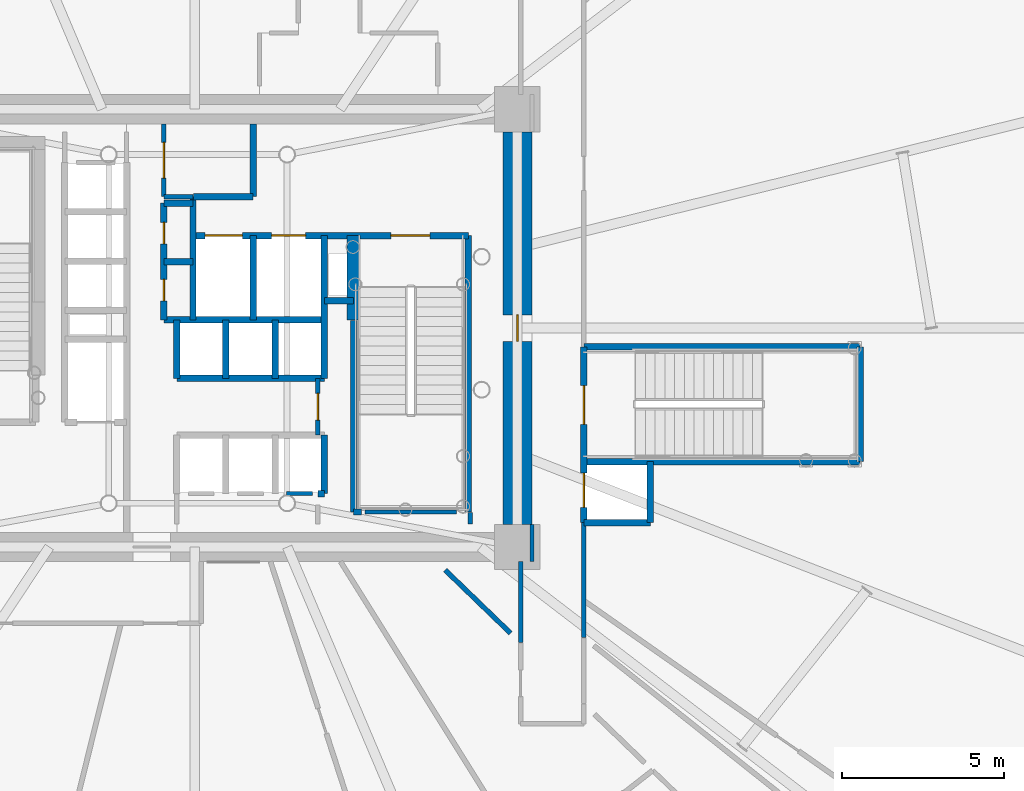
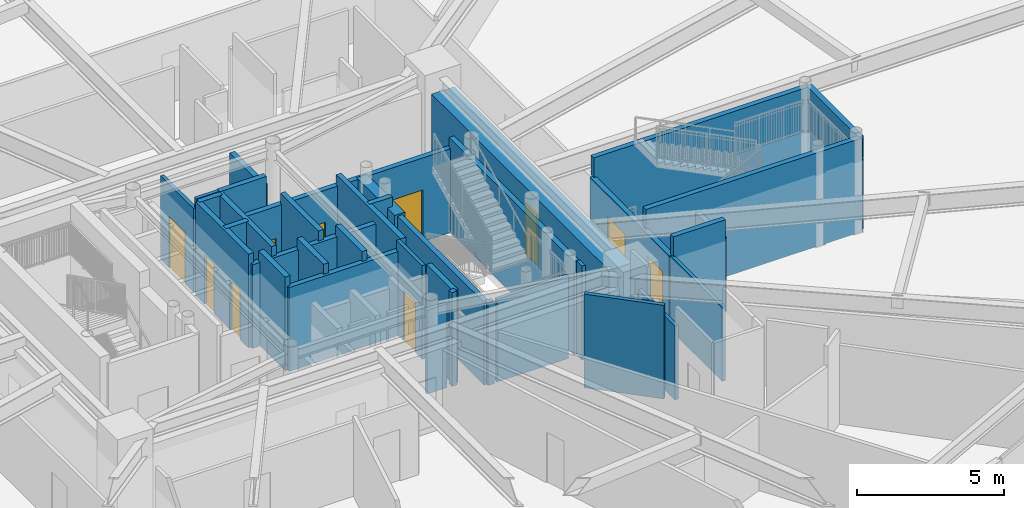
# One storey, part 18 of 31: 38 walls, 10 doors, 10 openings.
"""IFC4 building model written with IfcOpenShell, lengths in metres."""

import ifcopenshell
import ifcopenshell.guid

model = None  # the IFC model being written
_history = None  # IfcOwnerHistory: only IFC2X3 demands one
_inside = {}  # id of a spatial element -> (the spatial element, [elements in it])
_under = {}  # id of a project, library or spatial element -> (it, [spatial elements below it])
_declared = {}  # id of a project -> (the project, [libraries it declares])
_typed = {}  # id of a type object -> (the type object, [elements of that type])
_made_of = {}  # id of a material, layer set ... -> (it, [elements and type objects made of it])


def new_model(schema):
    """Start an empty IFC model of exactly this schema.

    Asked for "IFC4X3", IfcOpenShell would pick the latest addendum, in which some entities
    have other attributes; the version numbers below select the first issue.
    IFC2X3 requires an IfcOwnerHistory on every rooted entity: one is made here for all.
    """
    global model, _history
    if schema == "IFC4X3":
        model = ifcopenshell.file(schema_version=(4, 3, 0, 0))
    else:
        model = ifcopenshell.file(schema=schema)
    _inside.clear()
    _under.clear()
    _declared.clear()
    _typed.clear()
    _made_of.clear()
    _history = None
    if model.schema == "IFC2X3":
        org = make("IfcOrganization", Name="unknown")
        user = make(
            "IfcPersonAndOrganization",
            ThePerson=make("IfcPerson", FamilyName="unknown"),
            TheOrganization=org,
        )
        app = make(
            "IfcApplication",
            ApplicationDeveloper=org,
            Version="unknown",
            ApplicationFullName="unknown",
            ApplicationIdentifier="unknown",
        )
        _history = make(
            "IfcOwnerHistory",
            OwningUser=user,
            OwningApplication=app,
            ChangeAction="ADDED",
            CreationDate=0,
        )
    return model


def make(cls, **values):
    """One entity of the class cls with the attributes given. An attribute that is None is left unset."""
    return model.create_entity(
        cls, **{name: value for name, value in values.items() if value is not None}
    )


def rooted(cls, **values):
    """An entity with a GlobalId (a new one), such as an element, a storey or a relation."""
    return make(cls, GlobalId=ifcopenshell.guid.new(), OwnerHistory=_history, **values)


def si_unit(unit_type, name, prefix=None):
    """IfcSIUnit, for example si_unit("LENGTHUNIT", "METRE", prefix="MILLI")."""
    return make("IfcSIUnit", UnitType=unit_type, Prefix=prefix, Name=name)


def assignment(units):
    """IfcUnitAssignment: the units of a project."""
    return None if units is None else make("IfcUnitAssignment", Units=units)


def point(xyz):
    """IfcCartesianPoint."""
    return None if xyz is None else make("IfcCartesianPoint", Coordinates=xyz)


def direction(xyz):
    """IfcDirection."""
    return None if xyz is None else make("IfcDirection", DirectionRatios=xyz)


def frame(location, z_axis=None, x_axis=None):
    """IfcAxis2Placement3D, a coordinate frame: its origin and axes. An axis left out is left unset."""
    return make(
        "IfcAxis2Placement3D",
        Location=point(location),
        Axis=direction(z_axis),
        RefDirection=direction(x_axis),
    )


def frame_2d(location, x_axis=None):
    """IfcAxis2Placement2D, a coordinate frame in the plane: its origin and x axis."""
    return make(
        "IfcAxis2Placement2D", Location=point(location), RefDirection=direction(x_axis)
    )


def origin():
    """The frame at (0, 0, 0) with its axes left unset."""
    return frame((0.0, 0.0, 0.0))


def origin_2d():
    """The frame at (0, 0) in the plane with its x axis left unset."""
    return frame_2d((0.0, 0.0))


def place(relative_to, where):
    """IfcLocalPlacement: puts the frame where relative to a parent placement (None: the world)."""
    return make(
        "IfcLocalPlacement", PlacementRelTo=relative_to, RelativePlacement=where
    )


def context(
    kind, dimensions, precision=None, world=None, true_north=None, identifier=None
):
    """IfcGeometricRepresentationContext, for example the 3D "Model" context."""
    return make(
        "IfcGeometricRepresentationContext",
        ContextIdentifier=identifier,
        ContextType=kind,
        CoordinateSpaceDimension=dimensions,
        Precision=precision,
        WorldCoordinateSystem=world,
        TrueNorth=true_north,
    )


def subcontext(parent, identifier, kind, view, scale=None):
    """IfcGeometricRepresentationSubContext, for example "Body" below "Model"."""
    return make(
        "IfcGeometricRepresentationSubContext",
        ContextIdentifier=identifier,
        ContextType=kind,
        ParentContext=parent,
        TargetScale=scale,
        TargetView=view,
    )


def project(units=None, contexts=None):
    """IfcProject with its units and contexts."""
    return rooted(
        "IfcProject",
        Name="project",
        RepresentationContexts=contexts,
        UnitsInContext=assignment(units),
    )


def spatial(cls, under=None, at=None, **own):
    """A site, building, storey or space (cls), placed at a placement, below another one or the project."""
    s = rooted(cls, ObjectPlacement=at, **own)
    if under is not None:
        _under.setdefault(under.id(), (under, []))[1].append(s)
    return s


def profile(cls, at=None, kind="AREA", **sizes):
    """A parametric profile (cls). Its sizes go by their IFC names, for example OverallWidth=200.0."""
    return make(cls, ProfileType=kind, Position=at, **sizes)


def rectangle(**sizes):
    """IfcRectangleProfileDef."""
    return profile("IfcRectangleProfileDef", **sizes)


def extrude(swept, where, along, depth):
    """IfcExtrudedAreaSolid: the profile swept, set in the frame where, extruded along a direction by depth."""
    return make(
        "IfcExtrudedAreaSolid",
        SweptArea=swept,
        Position=where,
        ExtrudedDirection=direction(along),
        Depth=depth,
    )


def shape(context_of_items, identifier, shape_type, items):
    """IfcShapeRepresentation: the items that make up one representation, for example the "Body"."""
    return make(
        "IfcShapeRepresentation",
        ContextOfItems=context_of_items,
        RepresentationIdentifier=identifier,
        RepresentationType=shape_type,
        Items=items,
    )


def source(mapping_origin, context_of_items, identifier, shape_type, items):
    """IfcRepresentationMap: a shape defined once, which mapped items show again and again."""
    return make(
        "IfcRepresentationMap",
        MappingOrigin=mapping_origin,
        MappedRepresentation=shape(context_of_items, identifier, shape_type, items),
    )


def transform(
    local_origin,
    x_axis=None,
    y_axis=None,
    z_axis=None,
    scale=None,
    scale2=None,
    scale3=None,
    uniform=True,
):
    """IfcCartesianTransformationOperator3D, or its non-uniform kind. x_axis, y_axis, z_axis: its Axis1, 2, 3."""
    if uniform:
        return make(
            "IfcCartesianTransformationOperator3D",
            Axis1=direction(x_axis),
            Axis2=direction(y_axis),
            LocalOrigin=point(local_origin),
            Scale=scale,
            Axis3=direction(z_axis),
        )
    return make(
        "IfcCartesianTransformationOperator3DnonUniform",
        Axis1=direction(x_axis),
        Axis2=direction(y_axis),
        LocalOrigin=point(local_origin),
        Scale=scale,
        Axis3=direction(z_axis),
        Scale2=scale2,
        Scale3=scale3,
    )


def mapped(mapping_source, mapping_target):
    """IfcMappedItem: shows the shape of a source again, moved by a transform."""
    return make(
        "IfcMappedItem", MappingSource=mapping_source, MappingTarget=mapping_target
    )


def material(Name=None, Category=None):
    """IfcMaterial."""
    return make("IfcMaterial", Name=Name, Category=Category)


def layer(
    of_material, thickness, ventilated=None, Name=None, Category=None, Priority=None
):
    """IfcMaterialLayer: one layer of a wall or slab, of a material (None: an air gap)."""
    return make(
        "IfcMaterialLayer",
        Material=of_material,
        LayerThickness=thickness,
        IsVentilated=ventilated,
        Name=Name,
        Category=Category,
        Priority=Priority,
    )


def layer_set(layers, Name=None):
    """IfcMaterialLayerSet."""
    return make("IfcMaterialLayerSet", MaterialLayers=layers, LayerSetName=Name)


def made_of(thing, what):
    """Note that an element or type object is made of a material, layer set ...; save() writes the relation."""
    if what is not None:
        _made_of.setdefault(what.id(), (what, []))[1].append(thing)
    return thing


def type_object(cls, material=None, **own):
    """A type object (cls), such as IfcWallType, which elements share."""
    return made_of(rooted(cls, **own), material)


def element(
    cls,
    number,
    at=None,
    inside=None,
    cuts=None,
    type_object=None,
    material=None,
    context=None,
    identifier="Body",
    shape_type=None,
    held_by="IfcProductDefinitionShape",
    body=None,
    shapes=None,
    **own,
):
    """One element of the class cls, such as IfcWall. Its Tag is "e" and its number.

    at: its placement. inside: the storey or other place that contains it. cuts: it is an
    opening in that element (IfcRelVoidsElement). A single representation is given by context,
    identifier, shape_type and body (its items); several are given by shapes. held_by: the class
    of the entity that holds the representations. save() writes the other relations.
    """
    e = rooted(cls, Tag="e%d" % number, ObjectPlacement=at, **own)
    if body is not None:
        shapes = [shape(context, identifier, shape_type, body)]
    if shapes is not None:
        e.Representation = make(held_by, Representations=shapes)
    if inside is not None:
        _inside.setdefault(inside.id(), (inside, []))[1].append(e)
    if cuts is not None:
        rooted(
            "IfcRelVoidsElement", RelatingBuildingElement=cuts, RelatedOpeningElement=e
        )
    if type_object is not None:
        _typed.setdefault(type_object.id(), (type_object, []))[1].append(e)
    return made_of(e, material)


def fill(opening, filler):
    """IfcRelFillsElement: the door or window that sits in an opening."""
    return rooted(
        "IfcRelFillsElement",
        RelatingOpeningElement=opening,
        RelatedBuildingElement=filler,
    )


def aggregate(whole, parts):
    """IfcRelAggregates: a whole, such as a stair, and the parts it consists of."""
    return rooted("IfcRelAggregates", RelatingObject=whole, RelatedObjects=parts)


def save(model, path):
    """Write the relations noted so far, then the file.

    IfcRelAggregates (storeys below a building ...), IfcRelContainedInSpatialStructure (elements
    in a storey), IfcRelDefinesByType, IfcRelAssociatesMaterial and IfcRelDeclares: one each for
    every whole, place, type object, material and project.
    """
    for whole, parts in _under.values():
        aggregate(whole, parts)
    for where, things in _inside.values():
        rooted(
            "IfcRelContainedInSpatialStructure",
            RelatedElements=things,
            RelatingStructure=where,
        )
    for kind, things in _typed.values():
        rooted("IfcRelDefinesByType", RelatedObjects=things, RelatingType=kind)
    for what, things in _made_of.values():
        rooted("IfcRelAssociatesMaterial", RelatedObjects=things, RelatingMaterial=what)
    for by, libraries in _declared.values():
        rooted("IfcRelDeclares", RelatingContext=by, RelatedDefinitions=libraries)
    model.write(path)


model = new_model("IFC4")

# Units and contexts
model_context = context("Model", 3, precision=1e-05, world=origin(), true_north=direction((0.0, 1.0)))
body_context = subcontext(model_context, "Body", "Model", "MODEL_VIEW")
ifc_project = project(units=[si_unit("LENGTHUNIT", "METRE"), si_unit("AREAUNIT", "SQUARE_METRE"), si_unit("VOLUMEUNIT", "CUBIC_METRE"), si_unit("PLANEANGLEUNIT", "RADIAN"), si_unit("MASSUNIT", "GRAM", prefix="KILO")], contexts=[model_context])

# Site, building, storey
site_placement = place(None, origin())
site = spatial("IfcSite", under=ifc_project, at=site_placement, CompositionType="ELEMENT")
building_placement = place(site_placement, origin())
building = spatial("IfcBuilding", under=site, at=building_placement, Name="Linh Dai School and Residence Tower", CompositionType="ELEMENT")
storey_placement = place(building_placement, frame((0.0, 0.0, 6.0)))
storey = spatial("IfcBuildingStorey", under=building, at=storey_placement, Name="L01", CompositionType="ELEMENT", Elevation=6.0)

# Wall, opening, door
ifc_material_1 = material(Name="Autoclaved Aerated Concrete Blockwork", Category="masonry")
ifc_layer_1 = layer(ifc_material_1, 0.135009765625)
ifc_layer_set_1 = layer_set([ifc_layer_1], Name="Autoclaved Aerated Concrete Blockwork")
wall_type_1 = type_object("IfcWallType", Name="IW-CORR-135-EI90", PredefinedType="PARTITIONING", material=ifc_layer_set_1)
wall_1_placement = place(storey_placement, frame((35.050048828125, 31.050048828125, 0.0), z_axis=(0.0, 0.0, 1.0), x_axis=(0.0, 1.0, 0.0)))
wall_1 = element("IfcWall", 1, at=wall_1_placement, inside=storey, type_object=wall_type_1, Name="L01 Interior Partition Wall 032", PredefinedType="PARTITIONING", context=body_context, shape_type="SweptSolid", body=[
    extrude(rectangle(XDim=2.25, YDim=0.135009765625, at=frame_2d((1.125, 0.0))), origin(), (0.0, 0.0, 1.0), 3.485107421875),
])
opening_1_placement = place(wall_1_placement, frame((0.574951171875, 0.0, 0.0)))
opening_1 = element("IfcOpeningElement", 2, at=opening_1_placement, cuts=wall_1, Name="Opening D07", PredefinedType="OPENING", context=body_context, shape_type="SweptSolid", body=[
    extrude(rectangle(XDim=1.10009765625, YDim=2.14990234375, at=origin_2d()), frame((0.550048828125, 0.07763671875, 1.074951171875), z_axis=(0.0, -1.0, 0.0), x_axis=(1.0, 0.0, 0.0)), (0.0, 0.0, 1.0), 0.155029296875),
])
ifc_material_2 = material(Name="Fire-Rated Louvred Steel Plant Door", Category="steel")
door_type_1 = type_object("IfcDoorType", Name="DR-PLT-1100x2150-FD60S", OperationType="NOTDEFINED", PredefinedType="DOOR", material=ifc_material_2)
shared_shape_1 = source(origin(), body_context, "Body", "SweptSolid", [
    extrude(rectangle(XDim=1.10009765625, YDim=2.14990234375, at=origin_2d()), frame((0.550048828125, 0.02490234375, 1.074951171875), z_axis=(0.0, -1.0, 0.0), x_axis=(1.0, 0.0, 0.0)), (0.0, 0.0, 1.0), 0.050048828125),
])
door_1_placement = place(opening_1_placement, origin())
door_1 = element("IfcDoor", 3, at=door_1_placement, inside=storey, type_object=door_type_1, Name="L01 North BMS Switchroom Door", OperationType="SINGLE_SWING_RIGHT", OverallHeight=2.14990234375, OverallWidth=1.10009765625, PredefinedType="DOOR", context=body_context, shape_type="MappedRepresentation", body=[
    mapped(shared_shape_1, transform((0.0, 0.0, 0.0), x_axis=(1.0, 0.0, 0.0), y_axis=(0.0, 1.0, 0.0), z_axis=(0.0, 0.0, 1.0), scale=1.0)),
])
fill(opening_1, door_1)

# Wall
wall_2_placement = place(storey_placement, frame((35.050048828125, 31.050048828125, 0.0), z_axis=(0.0, 0.0, 1.0), x_axis=(1.0, 0.0, 0.0)))
element("IfcWall", 4, at=wall_2_placement, inside=storey, type_object=wall_type_1, Name="L01 Interior Partition Wall 033", PredefinedType="PARTITIONING", context=body_context, shape_type="SweptSolid", body=[
    extrude(rectangle(XDim=0.89990234375, YDim=0.135009765625, at=frame_2d((0.449951171875, 0.0))), origin(), (0.0, 0.0, 1.0), 3.89990234375),
])

# Wall, opening, door
wall_3_placement = place(storey_placement, frame((39.800048828125, 23.699951171875, 0.0), z_axis=(0.0, 0.0, 1.0), x_axis=(0.0, 1.0, 0.0)))
wall_3 = element("IfcWall", 5, at=wall_3_placement, inside=storey, type_object=wall_type_1, Name="L01 Interior Partition Wall 050", PredefinedType="PARTITIONING", context=body_context, shape_type="SweptSolid", body=[
    extrude(rectangle(XDim=1.75, YDim=0.135009765625, at=frame_2d((0.875, 0.0))), origin(), (0.0, 0.0, 1.0), 3.89990234375),
])
opening_2_placement = place(wall_3_placement, frame((0.465087890625, 0.0, 0.0)))
opening_2 = element("IfcOpeningElement", 6, at=opening_2_placement, cuts=wall_3, Name="Opening D06", PredefinedType="OPENING", context=body_context, shape_type="SweptSolid", body=[
    extrude(rectangle(XDim=0.820068359375, YDim=2.10009765625, at=origin_2d()), frame((0.41015625, 0.07763671875, 1.050048828125), z_axis=(0.0, -1.0, 0.0), x_axis=(1.0, 0.0, 0.0)), (0.0, 0.0, 1.0), 0.155029296875),
])
ifc_material_3 = material(Name="Moisture-Resistant Timber Bathroom Door", Category="wood")
door_type_2 = type_object("IfcDoorType", Name="DR-WET-820x2100", OperationType="NOTDEFINED", PredefinedType="DOOR", material=ifc_material_3)
shared_shape_2 = source(origin(), body_context, "Body", "SweptSolid", [
    extrude(rectangle(XDim=0.820068359375, YDim=2.10009765625, at=origin_2d()), frame((0.41015625, 0.02490234375, 1.050048828125), z_axis=(0.0, -1.0, 0.0), x_axis=(1.0, 0.0, 0.0)), (0.0, 0.0, 1.0), 0.050048828125),
])
door_2_placement = place(opening_2_placement, origin())
door_2 = element("IfcDoor", 7, at=door_2_placement, inside=storey, type_object=door_type_2, Name="L01 East Linen Store Door", OperationType="SINGLE_SWING_LEFT", OverallHeight=2.10009765625, OverallWidth=0.820068359375, PredefinedType="DOOR", context=body_context, shape_type="MappedRepresentation", body=[
    mapped(shared_shape_2, transform((0.0, 0.0, 0.0), x_axis=(1.0, 0.0, 0.0), y_axis=(0.0, 1.0, 0.0), z_axis=(0.0, 0.0, 1.0), scale=1.0)),
])
fill(opening_2, door_2)

# Walls
wall_4_placement = place(storey_placement, frame((48.0, 17.454833984375, 0.0), z_axis=(0.0, 0.0, 1.0), x_axis=(0.0, 1.0, 0.0)))
element("IfcWall", 8, at=wall_4_placement, inside=storey, type_object=wall_type_1, Name="L01 Interior Partition Wall 063", PredefinedType="PARTITIONING", context=body_context, shape_type="SweptSolid", body=[
    extrude(rectangle(XDim=3.545166015625, YDim=0.135009765625, at=frame_2d((1.7724609375, 0.0))), origin(), (0.0, 0.0, 1.0), 3.0849609375),
])
wall_5_placement = place(storey_placement, frame((44.080078125, 21.330078125, 0.0), z_axis=(0.0, 0.0, 1.0), x_axis=(-1.0, 0.0, 0.0)))
element("IfcWall", 9, at=wall_5_placement, inside=storey, type_object=wall_type_1, Name="L01 Interior Partition Wall 074", PredefinedType="PARTITIONING", context=body_context, shape_type="SweptSolid", body=[
    extrude(rectangle(XDim=2.820068359375, YDim=0.135009765625, at=frame_2d((1.41015625, 0.0))), origin(), (0.0, 0.0, 1.0), 3.43505859375),
])
wall_6_placement = place(storey_placement, frame((39.639892578125, 21.89990234375, 0.0), z_axis=(0.0, 0.0, 1.0), x_axis=(-1.0, 0.0, 0.0)))
element("IfcWall", 10, at=wall_6_placement, inside=storey, type_object=wall_type_1, Name="L01 Interior Partition Wall 077", PredefinedType="PARTITIONING", context=body_context, shape_type="SweptSolid", body=[
    extrude(rectangle(XDim=0.7998046875, YDim=0.135009765625, at=frame_2d((0.39990234375, 0.0))), origin(), (0.0, 0.0, 1.0), 3.485107421875),
])
wall_7_placement = place(storey_placement, frame((44.5, 20.9599609375, 0.0), z_axis=(0.0, 0.0, 1.0), x_axis=(0.0, 1.0, 0.0)))
element("IfcWall", 11, at=wall_7_placement, inside=storey, type_object=wall_type_1, Name="L01 Interior Partition Wall 081", PredefinedType="PARTITIONING", context=body_context, shape_type="SweptSolid", body=[
    extrude(rectangle(XDim=0.360107421875, YDim=0.135009765625, at=frame_2d((0.18017578125, 0.0))), origin(), (0.0, 0.0, 1.0), 3.89990234375),
])
wall_8_placement = place(storey_placement, frame((46.050048828125, 17.304931640625, 0.0), z_axis=(0.0, 0.0, 1.0), x_axis=(0.0, 1.0, 0.0)))
element("IfcWall", 12, at=wall_8_placement, inside=storey, type_object=wall_type_1, Name="L01 Interior Partition Wall 085", PredefinedType="PARTITIONING", context=body_context, shape_type="SweptSolid", body=[
    extrude(rectangle(XDim=2.4951171875, YDim=0.135009765625, at=frame_2d((1.24755859375, 0.0))), origin(), (0.0, 0.0, 1.0), 3.0849609375),
])
wall_9_placement = place(storey_placement, frame((46.39990234375, 19.800048828125, 0.0), z_axis=(0.0, 0.0, 1.0), x_axis=(0.0, 1.0, 0.0)))
element("IfcWall", 13, at=wall_9_placement, inside=storey, type_object=wall_type_1, Name="L01 Interior Partition Wall 086", PredefinedType="PARTITIONING", context=body_context, shape_type="SweptSolid", body=[
    extrude(rectangle(XDim=1.139892578125, YDim=0.135009765625, at=frame_2d((0.56982421875, 0.0))), origin(), (0.0, 0.0, 1.0), 3.89990234375),
])
ifc_layer_2 = layer(ifc_material_1, 0.14990234375)
ifc_layer_set_2 = layer_set([ifc_layer_2], Name="Autoclaved Aerated Concrete Blockwork")
wall_type_2 = type_object("IfcWallType", Name="IW-SCH-150-EI60", PredefinedType="PARTITIONING", material=ifc_layer_set_2)
wall_10_placement = place(storey_placement, frame((43.72509765625, 19.5400390625, 0.0), z_axis=(0.0, 0.0, 1.0), x_axis=(0.719317456081, -0.69468150787, 0.0)))
element("IfcWall", 14, at=wall_10_placement, inside=storey, type_object=wall_type_2, Name="L01 Interior Partition Wall 101", PredefinedType="PARTITIONING", context=body_context, shape_type="SweptSolid", body=[
    extrude(rectangle(XDim=2.804443359375, YDim=0.14990234375, at=frame_2d((1.40234375, 0.0))), origin(), (0.0, 0.0, 1.0), 3.89990234375),
])

# Wall, openings, doors
ifc_material_4 = material(Name="Concrete B45 (C35/45)", Category="concrete")
ifc_layer_3 = layer(ifc_material_4, 0.199951171875)
ifc_layer_set_3 = layer_set([ifc_layer_3], Name="Concrete B45 (C35/45)")
wall_type_3 = type_object("IfcWallType", Name="IW-SHAFT-200-EI120", PredefinedType="PARTITIONING", material=ifc_layer_set_3)
wall_11_placement = place(storey_placement, frame((35.050048828125, 27.25, 0.0), z_axis=(0.0, 0.0, 1.0), x_axis=(0.0, 1.0, 0.0)))
wall_11 = element("IfcWall", 15, at=wall_11_placement, inside=storey, type_object=wall_type_3, Name="L01 Interior Partition Wall 028", PredefinedType="PARTITIONING", context=body_context, shape_type="SweptSolid", body=[
    extrude(rectangle(XDim=3.60009765625, YDim=0.199951171875, at=frame_2d((1.800048828125, 0.0))), origin(), (0.0, 0.0, 1.0), 3.89990234375),
])
opening_3_placement = place(wall_11_placement, frame((0.590087890625, 0.0, 0.0)))
opening_3 = element("IfcOpeningElement", 16, at=opening_3_placement, cuts=wall_11, Name="Opening AD1", PredefinedType="OPENING", context=body_context, shape_type="SweptSolid", body=[
    extrude(rectangle(XDim=0.659912109375, YDim=2.050048828125, at=origin_2d()), frame((0.330078125, 0.10986328125, 1.02490234375), z_axis=(0.0, -1.0, 0.0), x_axis=(1.0, 0.0, 0.0)), (0.0, 0.0, 1.0), 0.219970703125),
])
opening_4_placement = place(wall_11_placement, frame((2.35009765625, 0.0, 0.0)))
opening_4 = element("IfcOpeningElement", 17, at=opening_4_placement, cuts=wall_11, Name="Opening AD1", PredefinedType="OPENING", context=body_context, shape_type="SweptSolid", body=[
    extrude(rectangle(XDim=0.659912109375, YDim=2.050048828125, at=origin_2d()), frame((0.330078125, 0.10986328125, 1.02490234375), z_axis=(0.0, -1.0, 0.0), x_axis=(1.0, 0.0, 0.0)), (0.0, 0.0, 1.0), 0.219970703125),
])
ifc_material_5 = material(Name="Fire-Rated Steel Riser Access Door", Category="steel")
door_type_3 = type_object("IfcDoorType", Name="DR-ACC-660x2050-FD90S", OperationType="NOTDEFINED", PredefinedType="USERDEFINED", material=ifc_material_5)
shared_shape_3 = source(origin(), body_context, "Body", "SweptSolid", [
    extrude(rectangle(XDim=0.659912109375, YDim=2.050048828125, at=origin_2d()), frame((0.330078125, 0.02490234375, 1.02490234375), z_axis=(0.0, -1.0, 0.0), x_axis=(1.0, 0.0, 0.0)), (0.0, 0.0, 1.0), 0.050048828125),
])
door_3_placement = place(opening_3_placement, origin())
door_3 = element("IfcDoor", 18, at=door_3_placement, inside=storey, type_object=door_type_3, Name="L01 Telecom and Data Riser Access Door", ObjectType="ACCESS DOOR", OperationType="SINGLE_SWING_RIGHT", OverallHeight=2.050048828125, OverallWidth=0.659912109375, PredefinedType="USERDEFINED", context=body_context, shape_type="MappedRepresentation", body=[
    mapped(shared_shape_3, transform((0.0, 0.0, 0.0), x_axis=(1.0, 0.0, 0.0), y_axis=(0.0, 1.0, 0.0), z_axis=(0.0, 0.0, 1.0), scale=1.0)),
])
fill(opening_3, door_3)
door_4_placement = place(opening_4_placement, origin())
door_4 = element("IfcDoor", 19, at=door_4_placement, inside=storey, type_object=door_type_3, Name="L01 Mechanical and Plumbing Riser Access Door", ObjectType="ACCESS DOOR", OperationType="SINGLE_SWING_LEFT", OverallHeight=2.050048828125, OverallWidth=0.659912109375, PredefinedType="USERDEFINED", context=body_context, shape_type="MappedRepresentation", body=[
    mapped(shared_shape_3, transform((0.0, 0.0, 0.0), x_axis=(1.0, 0.0, 0.0), y_axis=(0.0, 1.0, 0.0), z_axis=(0.0, 0.0, 1.0), scale=1.0)),
])
fill(opening_4, door_4)

# Walls
wall_12_placement = place(storey_placement, frame((35.050048828125, 27.25, 0.0), z_axis=(0.0, 0.0, 1.0), x_axis=(1.0, 0.0, 0.0)))
element("IfcWall", 20, at=wall_12_placement, inside=storey, type_object=wall_type_3, Name="L01 Interior Partition Wall 029", PredefinedType="PARTITIONING", context=body_context, shape_type="SweptSolid", body=[
    extrude(rectangle(XDim=4.949951171875, YDim=0.199951171875, at=frame_2d((2.47509765625, 0.0))), origin(), (0.0, 0.0, 1.0), 3.485107421875),
])
for number, where, z_axis, x_axis, name in (
    (21, (35.050048828125, 29.050048828125, 0.0), (0.0, 0.0, 1.0), (1.0, 0.0, 0.0), "L01 Interior Partition Wall 030"),
    (22, (35.050048828125, 30.85009765625, 0.0), (0.0, 0.0, 1.0), (1.0, 0.0, 0.0), "L01 Interior Partition Wall 031"),
):
    element("IfcWall", number, at=place(storey_placement, frame(where, z_axis=z_axis, x_axis=x_axis)), inside=storey, type_object=wall_type_3, Name=name, PredefinedType="PARTITIONING", context=body_context, shape_type="SweptSolid", body=[
        extrude(rectangle(XDim=0.89990234375, YDim=0.199951171875, at=frame_2d((0.449951171875, 0.0))), origin(), (0.0, 0.0, 1.0), 3.89990234375),
    ])
wall_13_placement = place(storey_placement, frame((35.449951171875, 25.449951171875, 0.0), z_axis=(0.0, 0.0, 1.0), x_axis=(0.0, 1.0, 0.0)))
element("IfcWall", 23, at=wall_13_placement, inside=storey, type_object=wall_type_3, Name="L01 Interior Partition Wall 036", PredefinedType="PARTITIONING", context=body_context, shape_type="SweptSolid", body=[
    extrude(rectangle(XDim=1.800048828125, YDim=0.199951171875, at=frame_2d((0.89990234375, 0.0))), origin(), (0.0, 0.0, 1.0), 3.89990234375),
])
wall_14_placement = place(storey_placement, frame((35.449951171875, 25.449951171875, 0.0), z_axis=(0.0, 0.0, 1.0), x_axis=(1.0, 0.0, 0.0)))
element("IfcWall", 24, at=wall_14_placement, inside=storey, type_object=wall_type_3, Name="L01 Interior Partition Wall 037", PredefinedType="PARTITIONING", context=body_context, shape_type="SweptSolid", body=[
    extrude(rectangle(XDim=4.550048828125, YDim=0.199951171875, at=frame_2d((2.27490234375, 0.0))), origin(), (0.0, 0.0, 1.0), 3.485107421875),
])
wall_15_placement = place(storey_placement, frame((35.949951171875, 27.25, 0.0), z_axis=(0.0, 0.0, 1.0), x_axis=(0.0, 1.0, 0.0)))
element("IfcWall", 25, at=wall_15_placement, inside=storey, type_object=wall_type_3, Name="L01 Interior Partition Wall 038", PredefinedType="PARTITIONING", context=body_context, shape_type="SweptSolid", body=[
    extrude(rectangle(XDim=3.800048828125, YDim=0.199951171875, at=frame_2d((1.89990234375, 0.0))), origin(), (0.0, 0.0, 1.0), 3.89990234375),
])

# Wall, openings, doors
wall_16_placement = place(storey_placement, frame((35.949951171875, 29.85009765625, 0.0), z_axis=(0.0, 0.0, 1.0), x_axis=(1.0, 0.0, 0.0)))
wall_16 = element("IfcWall", 26, at=wall_16_placement, inside=storey, type_object=wall_type_3, Name="L01 Interior Partition Wall 039", PredefinedType="PARTITIONING", context=body_context, shape_type="SweptSolid", body=[
    extrude(rectangle(XDim=8.489990234375, YDim=0.199951171875, at=frame_2d((4.2451171875, 0.0))), origin(), (0.0, 0.0, 1.0), 3.485107421875),
])
opening_5_placement = place(wall_16_placement, frame((6.10009765625, 0.0, 0.0)))
opening_5 = element("IfcOpeningElement", 27, at=opening_5_placement, cuts=wall_16, Name="Opening D01", PredefinedType="OPENING", context=body_context, shape_type="SweptSolid", body=[
    extrude(rectangle(XDim=1.199951171875, YDim=2.14990234375, at=origin_2d()), frame((0.60009765625, 0.10986328125, 1.074951171875), z_axis=(0.0, -1.0, 0.0), x_axis=(1.0, 0.0, 0.0)), (0.0, 0.0, 1.0), 0.219970703125),
])
opening_6_placement = place(wall_16_placement, frame((0.3701171875, 0.0, 0.0)))
opening_6 = element("IfcOpeningElement", 28, at=opening_6_placement, cuts=wall_16, Name="Opening LD-FF1", PredefinedType="OPENING", context=body_context, shape_type="SweptSolid", body=[
    extrude(rectangle(XDim=1.14990234375, YDim=2.14990234375, at=origin_2d()), frame((0.574951171875, 0.10986328125, 1.074951171875), z_axis=(0.0, -1.0, 0.0), x_axis=(1.0, 0.0, 0.0)), (0.0, 0.0, 1.0), 0.219970703125),
])
opening_7_placement = place(wall_16_placement, frame((2.425048828125, 0.0, 0.0)))
opening_7 = element("IfcOpeningElement", 29, at=opening_7_placement, cuts=wall_16, Name="Opening LD-SV1", PredefinedType="OPENING", context=body_context, shape_type="SweptSolid", body=[
    extrude(rectangle(XDim=1.050048828125, YDim=2.14990234375, at=origin_2d()), frame((0.52490234375, 0.10986328125, 1.074951171875), z_axis=(0.0, -1.0, 0.0), x_axis=(1.0, 0.0, 0.0)), (0.0, 0.0, 1.0), 0.219970703125),
])
ifc_material_6 = material(Name="Fire-Rated Steel Door Leaf", Category="steel")
door_type_4 = type_object("IfcDoorType", Name="DR-STAIR-1200x2150-FD90S", OperationType="NOTDEFINED", PredefinedType="DOOR", material=ifc_material_6)
shared_shape_4 = source(origin(), body_context, "Body", "SweptSolid", [
    extrude(rectangle(XDim=1.199951171875, YDim=2.14990234375, at=origin_2d()), frame((0.60009765625, 0.02490234375, 1.074951171875), z_axis=(0.0, -1.0, 0.0), x_axis=(1.0, 0.0, 0.0)), (0.0, 0.0, 1.0), 0.050048828125),
])
door_5_placement = place(opening_5_placement, origin())
door_5 = element("IfcDoor", 30, at=door_5_placement, inside=storey, type_object=door_type_4, Name="L01 Core Smokeproof Exit Stair ST2 Door", OperationType="SINGLE_SWING_LEFT", OverallHeight=2.14990234375, OverallWidth=1.199951171875, PredefinedType="DOOR", context=body_context, shape_type="MappedRepresentation", body=[
    mapped(shared_shape_4, transform((0.0, 0.0, 0.0), x_axis=(1.0, 0.0, 0.0), y_axis=(0.0, 1.0, 0.0), z_axis=(0.0, 0.0, 1.0), scale=1.0)),
])
fill(opening_5, door_5)
ifc_material_7 = material(Name="Fire-Rated Stainless Steel Firefighting Lift Door", Category="steel")
door_type_5 = type_object("IfcDoorType", Name="DR-LD-FF-1150x2150-FD120", OperationType="DOUBLE_DOOR_SLIDING", PredefinedType="USERDEFINED", material=ifc_material_7)
shared_shape_5 = source(origin(), body_context, "Body", "SweptSolid", [
    extrude(rectangle(XDim=1.14990234375, YDim=2.14990234375, at=origin_2d()), frame((0.574951171875, 0.02490234375, 1.074951171875), z_axis=(0.0, -1.0, 0.0), x_axis=(1.0, 0.0, 0.0)), (0.0, 0.0, 1.0), 0.050048828125),
])
door_6_placement = place(opening_6_placement, origin())
door_6 = element("IfcDoor", 31, at=door_6_placement, inside=storey, type_object=door_type_5, Name="L01 Lift FF1 Sliding Landing Door", ObjectType="LANDING DOOR", OperationType="DOUBLE_DOOR_SLIDING", OverallHeight=2.14990234375, OverallWidth=1.14990234375, PredefinedType="USERDEFINED", context=body_context, shape_type="MappedRepresentation", body=[
    mapped(shared_shape_5, transform((0.0, 0.0, 0.0), x_axis=(1.0, 0.0, 0.0), y_axis=(0.0, 1.0, 0.0), z_axis=(0.0, 0.0, 1.0), scale=1.0)),
])
fill(opening_6, door_6)
ifc_material_8 = material(Name="Brushed Stainless Steel Lift Landing Door", Category="steel")
door_type_6 = type_object("IfcDoorType", Name="DR-LD-PASS-1050x2150", OperationType="DOUBLE_DOOR_SLIDING", PredefinedType="USERDEFINED", material=ifc_material_8)
shared_shape_6 = source(origin(), body_context, "Body", "SweptSolid", [
    extrude(rectangle(XDim=1.050048828125, YDim=2.14990234375, at=origin_2d()), frame((0.52490234375, 0.02490234375, 1.074951171875), z_axis=(0.0, -1.0, 0.0), x_axis=(1.0, 0.0, 0.0)), (0.0, 0.0, 1.0), 0.050048828125),
])
door_7_placement = place(opening_7_placement, origin())
door_7 = element("IfcDoor", 32, at=door_7_placement, inside=storey, type_object=door_type_6, Name="L01 Lift SV1 Sliding Landing Door", ObjectType="LANDING DOOR", OperationType="DOUBLE_DOOR_SLIDING", OverallHeight=2.14990234375, OverallWidth=1.050048828125, PredefinedType="USERDEFINED", context=body_context, shape_type="MappedRepresentation", body=[
    mapped(shared_shape_6, transform((0.0, 0.0, 0.0), x_axis=(1.0, 0.0, 0.0), y_axis=(0.0, 1.0, 0.0), z_axis=(0.0, 0.0, 1.0), scale=1.0)),
])
fill(opening_7, door_7)

# Walls
wall_17_placement = place(storey_placement, frame((35.9599609375, 31.050048828125, 0.0), z_axis=(0.0, 0.0, 1.0), x_axis=(1.0, 0.0, 0.0)))
element("IfcWall", 33, at=wall_17_placement, inside=storey, type_object=wall_type_3, Name="L01 Interior Partition Wall 040", PredefinedType="PARTITIONING", context=body_context, shape_type="SweptSolid", body=[
    extrude(rectangle(XDim=1.840087890625, YDim=0.199951171875, at=frame_2d((0.919921875, 0.0))), origin(), (0.0, 0.0, 1.0), 3.89990234375),
])
wall_18_placement = place(storey_placement, frame((36.9599609375, 25.449951171875, 0.0), z_axis=(0.0, 0.0, 1.0), x_axis=(0.0, 1.0, 0.0)))
element("IfcWall", 34, at=wall_18_placement, inside=storey, type_object=wall_type_3, Name="L01 Interior Partition Wall 043", PredefinedType="PARTITIONING", context=body_context, shape_type="SweptSolid", body=[
    extrude(rectangle(XDim=1.800048828125, YDim=0.199951171875, at=frame_2d((0.89990234375, 0.0))), origin(), (0.0, 0.0, 1.0), 3.89990234375),
])
wall_19_placement = place(storey_placement, frame((37.800048828125, 27.25, 0.0), z_axis=(0.0, 0.0, 1.0), x_axis=(0.0, 1.0, 0.0)))
element("IfcWall", 35, at=wall_19_placement, inside=storey, type_object=wall_type_3, Name="L01 Interior Partition Wall 044", PredefinedType="PARTITIONING", context=body_context, shape_type="SweptSolid", body=[
    extrude(rectangle(XDim=2.60009765625, YDim=0.199951171875, at=frame_2d((1.300048828125, 0.0))), origin(), (0.0, 0.0, 1.0), 3.89990234375),
])
wall_20_placement = place(storey_placement, frame((37.800048828125, 31.050048828125, 0.0), z_axis=(0.0, 0.0, 1.0), x_axis=(0.0, 1.0, 0.0)))
element("IfcWall", 36, at=wall_20_placement, inside=storey, type_object=wall_type_3, Name="L01 Interior Partition Wall 045", PredefinedType="PARTITIONING", context=body_context, shape_type="SweptSolid", body=[
    extrude(rectangle(XDim=2.25, YDim=0.199951171875, at=frame_2d((1.125, 0.0))), origin(), (0.0, 0.0, 1.0), 3.485107421875),
])
wall_21_placement = place(storey_placement, frame((38.47998046875, 25.449951171875, 0.0), z_axis=(0.0, 0.0, 1.0), x_axis=(0.0, 1.0, 0.0)))
element("IfcWall", 37, at=wall_21_placement, inside=storey, type_object=wall_type_3, Name="L01 Interior Partition Wall 048", PredefinedType="PARTITIONING", context=body_context, shape_type="SweptSolid", body=[
    extrude(rectangle(XDim=1.800048828125, YDim=0.199951171875, at=frame_2d((0.89990234375, 0.0))), origin(), (0.0, 0.0, 1.0), 3.89990234375),
])
wall_22_placement = place(storey_placement, frame((39.800048828125, 21.89990234375, 0.0), z_axis=(0.0, 0.0, 1.0), x_axis=(1.0, 0.0, 0.0)))
element("IfcWall", 38, at=wall_22_placement, inside=storey, type_object=wall_type_3, Name="L01 Interior Partition Wall 049", PredefinedType="PARTITIONING", context=body_context, shape_type="SweptSolid", body=[
    extrude(rectangle(XDim=0.199951171875, YDim=0.199951171875, at=frame_2d((0.10009765625, 0.0))), origin(), (0.0, 0.0, 1.0), 3.89990234375),
])
wall_23_placement = place(storey_placement, frame((40.0, 21.89990234375, 0.0), z_axis=(0.0, 0.0, 1.0), x_axis=(0.0, 1.0, 0.0)))
element("IfcWall", 39, at=wall_23_placement, inside=storey, type_object=wall_type_3, Name="L01 Interior Partition Wall 051", PredefinedType="PARTITIONING", context=body_context, shape_type="SweptSolid", body=[
    extrude(rectangle(XDim=1.800048828125, YDim=0.199951171875, at=frame_2d((0.89990234375, 0.0))), origin(), (0.0, 0.0, 1.0), 3.89990234375),
])
wall_24_placement = place(storey_placement, frame((40.0, 25.449951171875, 0.0), z_axis=(0.0, 0.0, 1.0), x_axis=(0.0, 1.0, 0.0)))
element("IfcWall", 40, at=wall_24_placement, inside=storey, type_object=wall_type_3, Name="L01 Interior Partition Wall 052", PredefinedType="PARTITIONING", context=body_context, shape_type="SweptSolid", body=[
    extrude(rectangle(XDim=4.400146484375, YDim=0.199951171875, at=frame_2d((2.2001953125, 0.0))), origin(), (0.0, 0.0, 1.0), 3.89990234375),
])
wall_25_placement = place(storey_placement, frame((40.0, 27.85009765625, 0.0), z_axis=(0.0, 0.0, 1.0), x_axis=(1.0, 0.0, 0.0)))
element("IfcWall", 41, at=wall_25_placement, inside=storey, type_object=wall_type_3, Name="L01 Interior Partition Wall 053", PredefinedType="PARTITIONING", context=body_context, shape_type="SweptSolid", body=[
    extrude(rectangle(XDim=0.89990234375, YDim=0.199951171875, at=frame_2d((0.449951171875, 0.0))), origin(), (0.0, 0.0, 1.0), 3.89990234375),
])
wall_26_placement = place(storey_placement, frame((40.89990234375, 21.330078125, 0.0), z_axis=(0.0, 0.0, 1.0), x_axis=(0.0, 1.0, 0.0)))
element("IfcWall", 42, at=wall_26_placement, inside=storey, type_object=wall_type_3, Name="L01 Interior Partition Wall 055", PredefinedType="PARTITIONING", context=body_context, shape_type="SweptSolid", body=[
    extrude(rectangle(XDim=5.909912109375, YDim=0.199951171875, at=frame_2d((2.955078125, 0.0))), origin(), (0.0, 0.0, 1.0), 3.43505859375),
])
wall_27_placement = place(storey_placement, frame((40.89990234375, 21.330078125, 0.0), z_axis=(0.0, 0.0, 1.0), x_axis=(1.0, 0.0, 0.0)))
element("IfcWall", 43, at=wall_27_placement, inside=storey, type_object=wall_type_3, Name="L01 Interior Partition Wall 056", PredefinedType="PARTITIONING", context=body_context, shape_type="SweptSolid", body=[
    extrude(rectangle(XDim=0.25, YDim=0.199951171875, at=frame_2d((0.125, 0.0))), origin(), (0.0, 0.0, 1.0), 3.43505859375),
])
wall_28_placement = place(storey_placement, frame((44.43994140625, 21.330078125, 0.0), z_axis=(0.0, 0.0, 1.0), x_axis=(0.0, 1.0, 0.0)))
element("IfcWall", 44, at=wall_28_placement, inside=storey, type_object=wall_type_3, Name="L01 Interior Partition Wall 059", PredefinedType="PARTITIONING", context=body_context, shape_type="SweptSolid", body=[
    extrude(rectangle(XDim=8.52001953125, YDim=0.199951171875, at=frame_2d((4.260009765625, 0.0))), origin(), (0.0, 0.0, 1.0), 3.89990234375),
])

# Wall, openings, doors
wall_29_placement = place(storey_placement, frame((48.0, 21.010009765625, 0.0), z_axis=(0.0, 0.0, 1.0), x_axis=(0.0, 1.0, 0.0)))
wall_29 = element("IfcWall", 45, at=wall_29_placement, inside=storey, type_object=wall_type_3, Name="L01 Interior Partition Wall 065", PredefinedType="PARTITIONING", context=body_context, shape_type="SweptSolid", body=[
    extrude(rectangle(XDim=5.409912109375, YDim=0.199951171875, at=frame_2d((2.705078125, 0.0))), origin(), (0.0, 0.0, 1.0), 3.0849609375),
])
opening_8_placement = place(wall_29_placement, frame((3.02001953125, 0.0, 0.0)))
opening_8 = element("IfcOpeningElement", 46, at=opening_8_placement, cuts=wall_29, Name="Opening D01", PredefinedType="OPENING", context=body_context, shape_type="SweptSolid", body=[
    extrude(rectangle(XDim=1.199951171875, YDim=2.14990234375, at=origin_2d()), frame((0.60009765625, 0.10986328125, 1.074951171875), z_axis=(0.0, -1.0, 0.0), x_axis=(1.0, 0.0, 0.0)), (0.0, 0.0, 1.0), 0.219970703125),
])
opening_9_placement = place(wall_29_placement, frame((0.465087890625, 0.0, 0.0)))
opening_9 = element("IfcOpeningElement", 47, at=opening_9_placement, cuts=wall_29, Name="Opening LD-SL2", PredefinedType="OPENING", context=body_context, shape_type="SweptSolid", body=[
    extrude(rectangle(XDim=1.050048828125, YDim=2.14990234375, at=origin_2d()), frame((0.52490234375, 0.10986328125, 1.074951171875), z_axis=(0.0, -1.0, 0.0), x_axis=(1.0, 0.0, 0.0)), (0.0, 0.0, 1.0), 0.219970703125),
])
door_8_placement = place(opening_8_placement, origin())
door_8 = element("IfcDoor", 48, at=door_8_placement, inside=storey, type_object=door_type_4, Name="L01 Exit Stair STS2 Door", OperationType="SINGLE_SWING_LEFT", OverallHeight=2.14990234375, OverallWidth=1.199951171875, PredefinedType="DOOR", context=body_context, shape_type="MappedRepresentation", body=[
    mapped(shared_shape_4, transform((0.0, 0.0, 0.0), x_axis=(1.0, 0.0, 0.0), y_axis=(0.0, 1.0, 0.0), z_axis=(0.0, 0.0, 1.0), scale=1.0)),
])
fill(opening_8, door_8)
door_9_placement = place(opening_9_placement, origin())
door_9 = element("IfcDoor", 49, at=door_9_placement, inside=storey, type_object=door_type_6, Name="L01 Lift SL2 Sliding Landing Door", ObjectType="LANDING DOOR", OperationType="DOUBLE_DOOR_SLIDING", OverallHeight=2.14990234375, OverallWidth=1.050048828125, PredefinedType="USERDEFINED", context=body_context, shape_type="MappedRepresentation", body=[
    mapped(shared_shape_6, transform((0.0, 0.0, 0.0), x_axis=(1.0, 0.0, 0.0), y_axis=(0.0, 1.0, 0.0), z_axis=(0.0, 0.0, 1.0), scale=1.0)),
])
fill(opening_9, door_9)

# Walls
wall_30_placement = place(storey_placement, frame((48.0, 21.0, 0.0), z_axis=(0.0, 0.0, 1.0), x_axis=(1.0, 0.0, 0.0)))
element("IfcWall", 50, at=wall_30_placement, inside=storey, type_object=wall_type_3, Name="L01 Interior Partition Wall 066", PredefinedType="PARTITIONING", context=body_context, shape_type="SweptSolid", body=[
    extrude(rectangle(XDim=2.050048828125, YDim=0.199951171875, at=frame_2d((1.02490234375, 0.0))), origin(), (0.0, 0.0, 1.0), 3.89990234375),
])
for number, where, z_axis, x_axis, name in (
    (51, (48.0, 22.8798828125, 0.0), (0.0, 0.0, 1.0), (1.0, 0.0, 0.0), "L01 Interior Partition Wall 067"),
    (52, (48.0, 26.419921875, 0.0), (0.0, 0.0, 1.0), (1.0, 0.0, 0.0), "L01 Interior Partition Wall 069"),
):
    element("IfcWall", number, at=place(storey_placement, frame(where, z_axis=z_axis, x_axis=x_axis)), inside=storey, type_object=wall_type_3, Name=name, PredefinedType="PARTITIONING", context=body_context, shape_type="SweptSolid", body=[
        extrude(rectangle(XDim=8.52001953125, YDim=0.199951171875, at=frame_2d((4.260009765625, 0.0))), origin(), (0.0, 0.0, 1.0), 3.89990234375),
    ])
wall_31_placement = place(storey_placement, frame((50.050048828125, 21.0, 0.0), z_axis=(0.0, 0.0, 1.0), x_axis=(0.0, 1.0, 0.0)))
element("IfcWall", 53, at=wall_31_placement, inside=storey, type_object=wall_type_3, Name="L01 Interior Partition Wall 072", PredefinedType="PARTITIONING", context=body_context, shape_type="SweptSolid", body=[
    extrude(rectangle(XDim=1.8798828125, YDim=0.199951171875, at=frame_2d((0.93994140625, 0.0))), origin(), (0.0, 0.0, 1.0), 3.0849609375),
])
wall_32_placement = place(storey_placement, frame((56.52001953125, 22.8798828125, 0.0), z_axis=(0.0, 0.0, 1.0), x_axis=(0.0, 1.0, 0.0)))
element("IfcWall", 54, at=wall_32_placement, inside=storey, type_object=wall_type_3, Name="L01 Interior Partition Wall 073", PredefinedType="PARTITIONING", context=body_context, shape_type="SweptSolid", body=[
    extrude(rectangle(XDim=3.5400390625, YDim=0.199951171875, at=frame_2d((1.77001953125, 0.0))), origin(), (0.0, 0.0, 1.0), 3.89990234375),
])
ifc_layer_4 = layer(ifc_material_4, 0.39990234375)
ifc_layer_set_4 = layer_set([ifc_layer_4], Name="Concrete B45 (C35/45)")
wall_type_4 = type_object("IfcWallType", Name="WL-CORE400", PredefinedType="SHEAR", material=ifc_layer_set_4)
wall_33_placement = place(storey_placement, frame((40.89990234375, 27.25, 0.0), z_axis=(0.0, 0.0, 1.0), x_axis=(0.0, 1.0, 0.0)))
element("IfcWall", 55, at=wall_33_placement, inside=storey, type_object=wall_type_4, Name="L01 Internal Core Shear Wall IE", PredefinedType="SHEAR", context=body_context, shape_type="SweptSolid", body=[
    extrude(rectangle(XDim=2.60009765625, YDim=0.39990234375, at=frame_2d((1.300048828125, 0.0))), origin(), (0.0, 0.0, 1.0), 3.5),
])

# Wall, opening, door
ifc_material_9 = material(Name="Concrete B60 (C50/60)", Category="concrete")
ifc_layer_5 = layer(ifc_material_9, 0.89990234375)
ifc_layer_set_5 = layer_set([ifc_layer_5], Name="Concrete B60 (C50/60)")
wall_type_5 = type_object("IfcWallType", Name="WL-CORE900", PredefinedType="SHEAR", material=ifc_layer_set_5)
wall_34_placement = place(storey_placement, frame((45.949951171875, 33.050048828125, 0.0), z_axis=(0.0, 0.0, 1.0), x_axis=(0.0, -1.0, 0.0)))
wall_34 = element("IfcWall", 56, at=wall_34_placement, inside=storey, type_object=wall_type_5, Name="L01 Central Core Shear Wall E", PredefinedType="SHEAR", context=body_context, shape_type="SweptSolid", body=[
    extrude(rectangle(XDim=12.10009765625, YDim=0.89990234375, at=frame_2d((6.050048828125, 0.0))), origin(), (0.0, 0.0, 1.0), 3.35009765625),
])
opening_10_placement = place(wall_34_placement, frame((5.639892578125, 0.0, 0.0)))
opening_10 = element("IfcOpeningElement", 57, at=opening_10_placement, cuts=wall_34, Name="Opening D06", PredefinedType="OPENING", context=body_context, shape_type="SweptSolid", body=[
    extrude(rectangle(XDim=0.820068359375, YDim=2.10009765625, at=origin_2d()), frame((0.41015625, 0.4599609375, 1.050048828125), z_axis=(0.0, -1.0, 0.0), x_axis=(1.0, 0.0, 0.0)), (0.0, 0.0, 1.0), 0.919921875),
])
door_10_placement = place(opening_10_placement, origin())
door_10 = element("IfcDoor", 58, at=door_10_placement, inside=storey, type_object=door_type_2, Name="L01 Firefighting Lobby Door", OperationType="SINGLE_SWING_RIGHT", OverallHeight=2.10009765625, OverallWidth=0.820068359375, PredefinedType="DOOR", context=body_context, shape_type="MappedRepresentation", body=[
    mapped(shared_shape_2, transform((0.0, 0.0, 0.0), x_axis=(1.0, 0.0, 0.0), y_axis=(0.0, 1.0, 0.0), z_axis=(0.0, 0.0, 1.0), scale=1.0)),
])
fill(opening_10, door_10)

save(model, "model.ifc")
